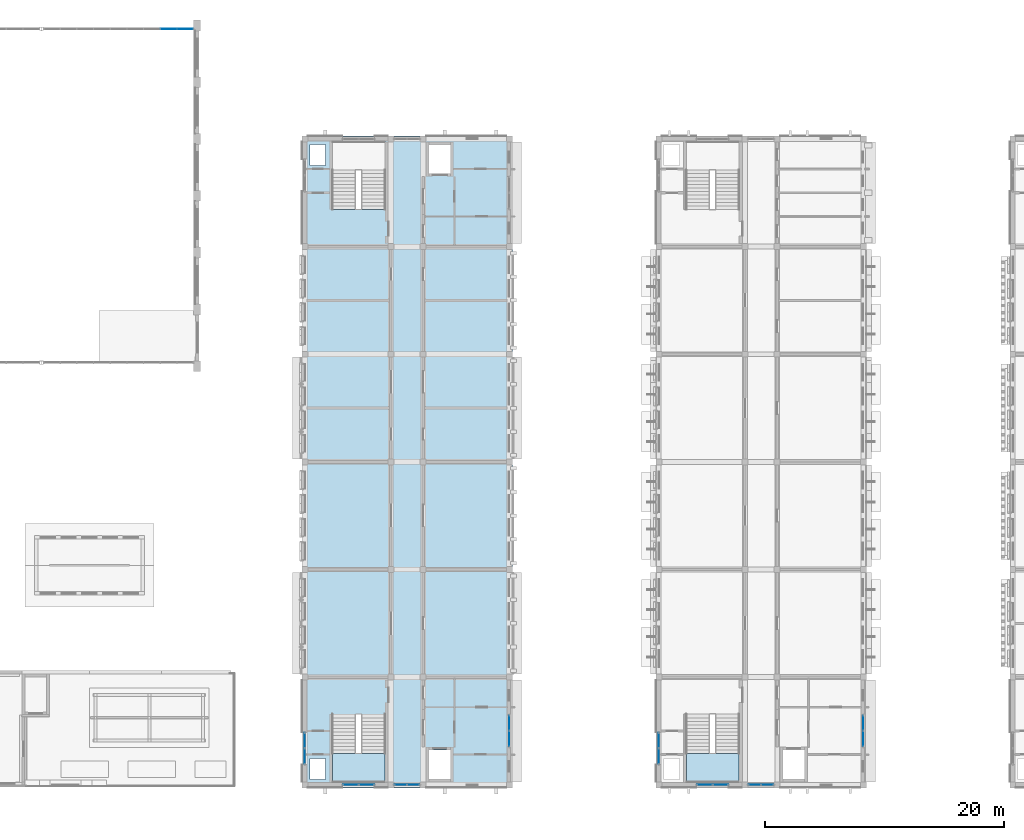
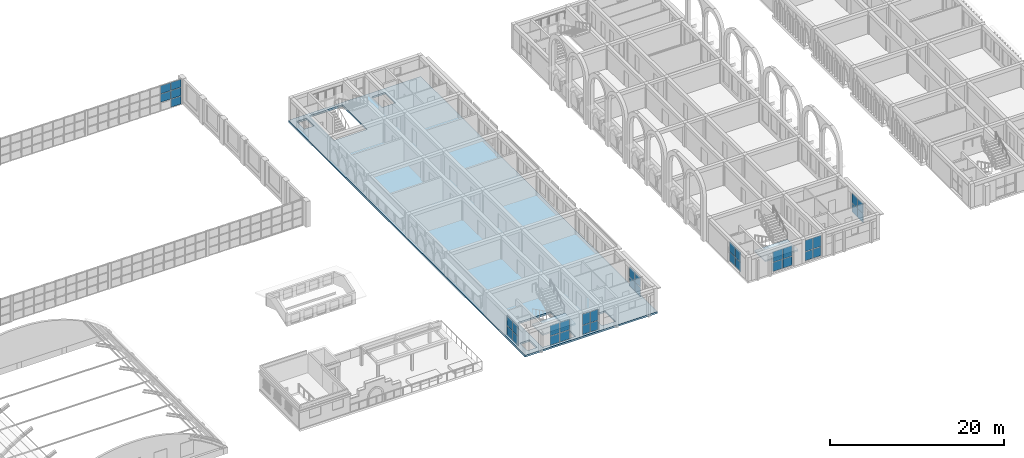
# One storey, part 30 of 70: 37 plates, 3 slabs, 11 elements without a shape of their own.
"""IFC4 building model written with IfcOpenShell, lengths in metres."""

from ifc_helpers import new_model, si_unit, direction, frame, origin, origin_2d, place, context, subcontext, project, spatial, polyline, rectangle, outline, extrude, material, layer, layer_set, type_object, element, aggregate, save


model = new_model("IFC4")

# Units and contexts
model_context = context("Model", 3, precision=1e-05, world=origin(), true_north=direction((0.0, 1.0)))
body_context = subcontext(model_context, "Body", "Model", "MODEL_VIEW")
ifc_project = project(units=[si_unit("LENGTHUNIT", "METRE"), si_unit("AREAUNIT", "SQUARE_METRE"), si_unit("VOLUMEUNIT", "CUBIC_METRE"), si_unit("PLANEANGLEUNIT", "RADIAN"), si_unit("MASSUNIT", "GRAM", prefix="KILO")], contexts=[model_context])

# Site, building, storey
site_placement = place(None, origin())
site = spatial("IfcSite", under=ifc_project, at=site_placement, CompositionType="ELEMENT")
building_placement = place(site_placement, origin())
building = spatial("IfcBuilding", under=site, at=building_placement, Name="Elbe Cascade School", CompositionType="ELEMENT")
storey_placement = place(building_placement, frame((0.0, 0.0, 8.10009765625)))
storey = spatial("IfcBuildingStorey", under=building, at=storey_placement, Name="L02", CompositionType="ELEMENT", Elevation=8.10009765625)

# Stair, slab
ifc_material_1 = material(Name="Concrete C30/37", Category="concrete")
stair_type = type_object("IfcStairType", Name="Bar stair RC 150", PredefinedType="HALF_TURN_STAIR", material=ifc_material_1)
stair_1_placement = place(storey_placement, origin())
stair_1 = element("IfcStair", 1, at=stair_1_placement, inside=storey, type_object=stair_type, Name="Stair A2.S", PredefinedType="HALF_TURN_STAIR")
ifc_material_2 = material(Name="Concrete C30/37", Category="concrete")
ifc_layer_1 = layer(ifc_material_2, 0.199951171875)
ifc_layer_set_1 = layer_set([ifc_layer_1], Name="Concrete C30/37")
slab_type_1 = type_object("IfcSlabType", Name="Bar stair landing RC 200", PredefinedType="LANDING", material=ifc_layer_set_1)
slab_1_placement = place(storey_placement, frame((0.0, 0.0, 1.599853515625)))
slab_1 = element("IfcSlab", 2, at=slab_1_placement, type_object=slab_type_1, Name="ST3 landing 1", PredefinedType="LANDING", context=body_context, shape_type="SweptSolid", body=[
    extrude(outline(polyline([(71.300048828125, 6.179931640625), (75.699951171875, 6.179931640625), (75.699951171875, 8.60009765625), (71.300048828125, 8.60009765625), (71.300048828125, 6.179931640625)])), origin(), (0.0, 0.0, 1.0), 0.199951171875),
])
aggregate(stair_1, [slab_1])

stair_2_placement = place(storey_placement, origin())
stair_2 = element("IfcStair", 3, at=stair_2_placement, inside=storey, type_object=stair_type, Name="Stair B2.S", PredefinedType="HALF_TURN_STAIR")
slab_2_placement = place(storey_placement, frame((0.0, 0.0, 1.599853515625)))
slab_2 = element("IfcSlab", 4, at=slab_2_placement, type_object=slab_type_1, Name="ST3 landing 1", PredefinedType="LANDING", context=body_context, shape_type="SweptSolid", body=[
    extrude(outline(polyline([(100.89990234375, 6.179931640625), (105.300048828125, 6.179931640625), (105.300048828125, 8.60009765625), (100.89990234375, 8.60009765625), (100.89990234375, 6.179931640625)])), origin(), (0.0, 0.0, 1.0), 0.199951171875),
])
aggregate(stair_2, [slab_2])

# Curtain wall, plates
ifc_material_3 = material(Name="Aluminium frame with double glazing, bronze anodised", Category="aluminium")
ifc_layer_2 = layer(ifc_material_3, 0.159912109375)
ifc_layer_set_2 = layer_set([ifc_layer_2], Name="Aluminium frame with double glazing, bronze anodised")
curtain_wall_type_1 = type_object("IfcCurtainWallType", Name="Bars envelope Curtain wall, aluminium, bronze anodised, storey-high slot", PredefinedType="NOTDEFINED", material=ifc_layer_set_2)
curtain_wall_1_placement = place(storey_placement, origin())
curtain_wall_1 = element("IfcCurtainWall", 5, at=curtain_wall_1_placement, inside=storey, type_object=curtain_wall_type_1, Name="Curtain wall CW4 A.L02.w1", PredefinedType="NOTDEFINED")
ifc_material_4 = material(Name="Glass - double glazed low-E", Category="glass")
ifc_layer_3 = layer(ifc_material_4, 0.028076171875)
ifc_layer_set_3 = layer_set([ifc_layer_3], Name="Glass - double glazed low-E")
plate_type_1 = type_object("IfcPlateType", Name="Bars envelope Curtain wall glazing panel 28 mm, double glazed, storey-high slot", PredefinedType="CURTAIN_PANEL", material=ifc_layer_set_3)
plate_1_placement = place(storey_placement, frame((69.0, 8.3798828125, 0.06005859375), z_axis=(0.0, 0.0, 1.0), x_axis=(0.0, 1.0, 0.0)))
plate_1 = element("IfcPlate", 6, at=plate_1_placement, type_object=plate_type_1, Name="CW4 panel 1.1", PredefinedType="CURTAIN_PANEL", context=body_context, shape_type="SweptSolid", body=[
    extrude(rectangle(XDim=1.260009765625, YDim=0.028076171875, at=origin_2d()), origin(), (0.0, 0.0, 1.0), 1.260009765625),
])
plate_2_placement = place(storey_placement, frame((69.0, 8.3798828125, 1.3798828125), z_axis=(0.0, 0.0, 1.0), x_axis=(0.0, 1.0, 0.0)))
plate_2 = element("IfcPlate", 7, at=plate_2_placement, type_object=plate_type_1, Name="CW4 panel 1.2", PredefinedType="CURTAIN_PANEL", context=body_context, shape_type="SweptSolid", body=[
    extrude(rectangle(XDim=1.260009765625, YDim=0.028076171875, at=origin_2d()), origin(), (0.0, 0.0, 1.0), 1.409912109375),
])
plate_3_placement = place(storey_placement, frame((69.0, 9.699951171875, 0.06005859375), z_axis=(0.0, 0.0, 1.0), x_axis=(0.0, 1.0, 0.0)))
plate_3 = element("IfcPlate", 8, at=plate_3_placement, type_object=plate_type_1, Name="CW4 panel 2.1", PredefinedType="CURTAIN_PANEL", context=body_context, shape_type="SweptSolid", body=[
    extrude(rectangle(XDim=1.260009765625, YDim=0.028076171875, at=origin_2d()), origin(), (0.0, 0.0, 1.0), 1.260009765625),
])
plate_4_placement = place(storey_placement, frame((69.0, 9.699951171875, 1.3798828125), z_axis=(0.0, 0.0, 1.0), x_axis=(0.0, 1.0, 0.0)))
plate_4 = element("IfcPlate", 9, at=plate_4_placement, type_object=plate_type_1, Name="CW4 panel 2.2", PredefinedType="CURTAIN_PANEL", context=body_context, shape_type="SweptSolid", body=[
    extrude(rectangle(XDim=1.260009765625, YDim=0.028076171875, at=origin_2d()), origin(), (0.0, 0.0, 1.0), 1.409912109375),
])
aggregate(curtain_wall_1, [plate_1, plate_2, plate_3, plate_4])

curtain_wall_2_placement = place(storey_placement, origin())
curtain_wall_2 = element("IfcCurtainWall", 10, at=curtain_wall_2_placement, inside=storey, type_object=curtain_wall_type_1, Name="Curtain wall CW4 A.L02.e1", PredefinedType="NOTDEFINED")
plate_5_placement = place(storey_placement, frame((86.10009765625, 11.159912109375, 0.06005859375), z_axis=(0.0, 0.0, 1.0), x_axis=(0.0, -1.0, 0.0)))
plate_5 = element("IfcPlate", 11, at=plate_5_placement, type_object=plate_type_1, Name="CW4 panel 1.1", PredefinedType="CURTAIN_PANEL", context=body_context, shape_type="SweptSolid", body=[
    extrude(rectangle(XDim=1.260009765625, YDim=0.028076171875, at=origin_2d()), origin(), (0.0, 0.0, 1.0), 1.260009765625),
])
plate_6_placement = place(storey_placement, frame((86.10009765625, 11.159912109375, 1.3798828125), z_axis=(0.0, 0.0, 1.0), x_axis=(0.0, -1.0, 0.0)))
plate_6 = element("IfcPlate", 12, at=plate_6_placement, type_object=plate_type_1, Name="CW4 panel 1.2", PredefinedType="CURTAIN_PANEL", context=body_context, shape_type="SweptSolid", body=[
    extrude(rectangle(XDim=1.260009765625, YDim=0.028076171875, at=origin_2d()), origin(), (0.0, 0.0, 1.0), 1.409912109375),
])
plate_7_placement = place(storey_placement, frame((86.10009765625, 9.840087890625, 0.06005859375), z_axis=(0.0, 0.0, 1.0), x_axis=(0.0, -1.0, 0.0)))
plate_7 = element("IfcPlate", 13, at=plate_7_placement, type_object=plate_type_1, Name="CW4 panel 2.1", PredefinedType="CURTAIN_PANEL", context=body_context, shape_type="SweptSolid", body=[
    extrude(rectangle(XDim=1.260009765625, YDim=0.028076171875, at=origin_2d()), origin(), (0.0, 0.0, 1.0), 1.260009765625),
])
plate_8_placement = place(storey_placement, frame((86.10009765625, 9.840087890625, 1.3798828125), z_axis=(0.0, 0.0, 1.0), x_axis=(0.0, -1.0, 0.0)))
plate_8 = element("IfcPlate", 14, at=plate_8_placement, type_object=plate_type_1, Name="CW4 panel 2.2", PredefinedType="CURTAIN_PANEL", context=body_context, shape_type="SweptSolid", body=[
    extrude(rectangle(XDim=1.260009765625, YDim=0.028076171875, at=origin_2d()), origin(), (0.0, 0.0, 1.0), 1.409912109375),
])
aggregate(curtain_wall_2, [plate_5, plate_6, plate_7, plate_8])

curtain_wall_3_placement = place(storey_placement, origin())
curtain_wall_3 = element("IfcCurtainWall", 15, at=curtain_wall_3_placement, inside=storey, type_object=curtain_wall_type_1, Name="Curtain wall CW4 A.L02.s1", PredefinedType="NOTDEFINED")
plate_9_placement = place(storey_placement, frame((74.159912109375, 6.0, 0.06005859375), z_axis=(0.0, 0.0, 1.0), x_axis=(-1.0, 0.0, 0.0)))
plate_9 = element("IfcPlate", 16, at=plate_9_placement, type_object=plate_type_1, Name="CW4 panel 1.1", PredefinedType="CURTAIN_PANEL", context=body_context, shape_type="SweptSolid", body=[
    extrude(rectangle(XDim=1.260009765625, YDim=0.028076171875, at=origin_2d()), origin(), (0.0, 0.0, 1.0), 1.260009765625),
])
plate_10_placement = place(storey_placement, frame((74.159912109375, 6.0, 1.3798828125), z_axis=(0.0, 0.0, 1.0), x_axis=(-1.0, 0.0, 0.0)))
plate_10 = element("IfcPlate", 17, at=plate_10_placement, type_object=plate_type_1, Name="CW4 panel 1.2", PredefinedType="CURTAIN_PANEL", context=body_context, shape_type="SweptSolid", body=[
    extrude(rectangle(XDim=1.260009765625, YDim=0.028076171875, at=origin_2d()), origin(), (0.0, 0.0, 1.0), 1.4599609375),
])
plate_11_placement = place(storey_placement, frame((72.840087890625, 6.0, 0.06005859375), z_axis=(0.0, 0.0, 1.0), x_axis=(-1.0, 0.0, 0.0)))
plate_11 = element("IfcPlate", 18, at=plate_11_placement, type_object=plate_type_1, Name="CW4 panel 2.1", PredefinedType="CURTAIN_PANEL", context=body_context, shape_type="SweptSolid", body=[
    extrude(rectangle(XDim=1.260009765625, YDim=0.028076171875, at=origin_2d()), origin(), (0.0, 0.0, 1.0), 1.260009765625),
])
plate_12_placement = place(storey_placement, frame((72.840087890625, 6.0, 1.3798828125), z_axis=(0.0, 0.0, 1.0), x_axis=(-1.0, 0.0, 0.0)))
plate_12 = element("IfcPlate", 19, at=plate_12_placement, type_object=plate_type_1, Name="CW4 panel 2.2", PredefinedType="CURTAIN_PANEL", context=body_context, shape_type="SweptSolid", body=[
    extrude(rectangle(XDim=1.260009765625, YDim=0.028076171875, at=origin_2d()), origin(), (0.0, 0.0, 1.0), 1.4599609375),
])
aggregate(curtain_wall_3, [plate_9, plate_10, plate_11, plate_12])

curtain_wall_4_placement = place(storey_placement, origin())
curtain_wall_4 = element("IfcCurtainWall", 20, at=curtain_wall_4_placement, inside=storey, type_object=curtain_wall_type_1, Name="Curtain wall CW4 A.L02.s2", PredefinedType="NOTDEFINED")
plate_13_placement = place(storey_placement, frame((78.0849609375, 6.0, 0.06005859375), z_axis=(0.0, 0.0, 1.0), x_axis=(-1.0, 0.0, 0.0)))
plate_13 = element("IfcPlate", 21, at=plate_13_placement, type_object=plate_type_1, Name="CW4 panel 1.1", PredefinedType="CURTAIN_PANEL", context=body_context, shape_type="SweptSolid", body=[
    extrude(rectangle(XDim=1.010009765625, YDim=0.028076171875, at=origin_2d()), origin(), (0.0, 0.0, 1.0), 1.260009765625),
])
plate_14_placement = place(storey_placement, frame((78.0849609375, 6.0, 1.3798828125), z_axis=(0.0, 0.0, 1.0), x_axis=(-1.0, 0.0, 0.0)))
plate_14 = element("IfcPlate", 22, at=plate_14_placement, type_object=plate_type_1, Name="CW4 panel 1.2", PredefinedType="CURTAIN_PANEL", context=body_context, shape_type="SweptSolid", body=[
    extrude(rectangle(XDim=1.010009765625, YDim=0.028076171875, at=origin_2d()), origin(), (0.0, 0.0, 1.0), 1.56005859375),
])
plate_15_placement = place(storey_placement, frame((77.014892578125, 6.0, 0.06005859375), z_axis=(0.0, 0.0, 1.0), x_axis=(-1.0, 0.0, 0.0)))
plate_15 = element("IfcPlate", 23, at=plate_15_placement, type_object=plate_type_1, Name="CW4 panel 2.1", PredefinedType="CURTAIN_PANEL", context=body_context, shape_type="SweptSolid", body=[
    extrude(rectangle(XDim=1.010009765625, YDim=0.028076171875, at=origin_2d()), origin(), (0.0, 0.0, 1.0), 1.260009765625),
])
plate_16_placement = place(storey_placement, frame((77.014892578125, 6.0, 1.3798828125), z_axis=(0.0, 0.0, 1.0), x_axis=(-1.0, 0.0, 0.0)))
plate_16 = element("IfcPlate", 24, at=plate_16_placement, type_object=plate_type_1, Name="CW4 panel 2.2", PredefinedType="CURTAIN_PANEL", context=body_context, shape_type="SweptSolid", body=[
    extrude(rectangle(XDim=1.010009765625, YDim=0.028076171875, at=origin_2d()), origin(), (0.0, 0.0, 1.0), 1.56005859375),
])
aggregate(curtain_wall_4, [plate_13, plate_14, plate_15, plate_16])

curtain_wall_5_placement = place(storey_placement, origin())
curtain_wall_5 = element("IfcCurtainWall", 25, at=curtain_wall_5_placement, inside=storey, type_object=curtain_wall_type_1, Name="Curtain wall CW4 B.L02.w1", PredefinedType="NOTDEFINED")
plate_17_placement = place(storey_placement, frame((98.60009765625, 8.3798828125, 0.06005859375), z_axis=(0.0, 0.0, 1.0), x_axis=(0.0, 1.0, 0.0)))
plate_17 = element("IfcPlate", 26, at=plate_17_placement, type_object=plate_type_1, Name="CW4 panel 1.1", PredefinedType="CURTAIN_PANEL", context=body_context, shape_type="SweptSolid", body=[
    extrude(rectangle(XDim=1.260009765625, YDim=0.028076171875, at=origin_2d()), origin(), (0.0, 0.0, 1.0), 1.260009765625),
])
plate_18_placement = place(storey_placement, frame((98.60009765625, 8.3798828125, 1.3798828125), z_axis=(0.0, 0.0, 1.0), x_axis=(0.0, 1.0, 0.0)))
plate_18 = element("IfcPlate", 27, at=plate_18_placement, type_object=plate_type_1, Name="CW4 panel 1.2", PredefinedType="CURTAIN_PANEL", context=body_context, shape_type="SweptSolid", body=[
    extrude(rectangle(XDim=1.260009765625, YDim=0.028076171875, at=origin_2d()), origin(), (0.0, 0.0, 1.0), 1.409912109375),
])
plate_19_placement = place(storey_placement, frame((98.60009765625, 9.699951171875, 0.06005859375), z_axis=(0.0, 0.0, 1.0), x_axis=(0.0, 1.0, 0.0)))
plate_19 = element("IfcPlate", 28, at=plate_19_placement, type_object=plate_type_1, Name="CW4 panel 2.1", PredefinedType="CURTAIN_PANEL", context=body_context, shape_type="SweptSolid", body=[
    extrude(rectangle(XDim=1.260009765625, YDim=0.028076171875, at=origin_2d()), origin(), (0.0, 0.0, 1.0), 1.260009765625),
])
plate_20_placement = place(storey_placement, frame((98.60009765625, 9.699951171875, 1.3798828125), z_axis=(0.0, 0.0, 1.0), x_axis=(0.0, 1.0, 0.0)))
plate_20 = element("IfcPlate", 29, at=plate_20_placement, type_object=plate_type_1, Name="CW4 panel 2.2", PredefinedType="CURTAIN_PANEL", context=body_context, shape_type="SweptSolid", body=[
    extrude(rectangle(XDim=1.260009765625, YDim=0.028076171875, at=origin_2d()), origin(), (0.0, 0.0, 1.0), 1.409912109375),
])
aggregate(curtain_wall_5, [plate_17, plate_18, plate_19, plate_20])

curtain_wall_6_placement = place(storey_placement, origin())
curtain_wall_6 = element("IfcCurtainWall", 30, at=curtain_wall_6_placement, inside=storey, type_object=curtain_wall_type_1, Name="Curtain wall CW4 B.L02.e1", PredefinedType="NOTDEFINED")
plate_21_placement = place(storey_placement, frame((115.699951171875, 11.159912109375, 0.06005859375), z_axis=(0.0, 0.0, 1.0), x_axis=(0.0, -1.0, 0.0)))
plate_21 = element("IfcPlate", 31, at=plate_21_placement, type_object=plate_type_1, Name="CW4 panel 1.1", PredefinedType="CURTAIN_PANEL", context=body_context, shape_type="SweptSolid", body=[
    extrude(rectangle(XDim=1.260009765625, YDim=0.028076171875, at=origin_2d()), origin(), (0.0, 0.0, 1.0), 1.260009765625),
])
plate_22_placement = place(storey_placement, frame((115.699951171875, 11.159912109375, 1.3798828125), z_axis=(0.0, 0.0, 1.0), x_axis=(0.0, -1.0, 0.0)))
plate_22 = element("IfcPlate", 32, at=plate_22_placement, type_object=plate_type_1, Name="CW4 panel 1.2", PredefinedType="CURTAIN_PANEL", context=body_context, shape_type="SweptSolid", body=[
    extrude(rectangle(XDim=1.260009765625, YDim=0.028076171875, at=origin_2d()), origin(), (0.0, 0.0, 1.0), 1.409912109375),
])
plate_23_placement = place(storey_placement, frame((115.699951171875, 9.840087890625, 0.06005859375), z_axis=(0.0, 0.0, 1.0), x_axis=(0.0, -1.0, 0.0)))
plate_23 = element("IfcPlate", 33, at=plate_23_placement, type_object=plate_type_1, Name="CW4 panel 2.1", PredefinedType="CURTAIN_PANEL", context=body_context, shape_type="SweptSolid", body=[
    extrude(rectangle(XDim=1.260009765625, YDim=0.028076171875, at=origin_2d()), origin(), (0.0, 0.0, 1.0), 1.260009765625),
])
plate_24_placement = place(storey_placement, frame((115.699951171875, 9.840087890625, 1.3798828125), z_axis=(0.0, 0.0, 1.0), x_axis=(0.0, -1.0, 0.0)))
plate_24 = element("IfcPlate", 34, at=plate_24_placement, type_object=plate_type_1, Name="CW4 panel 2.2", PredefinedType="CURTAIN_PANEL", context=body_context, shape_type="SweptSolid", body=[
    extrude(rectangle(XDim=1.260009765625, YDim=0.028076171875, at=origin_2d()), origin(), (0.0, 0.0, 1.0), 1.409912109375),
])
aggregate(curtain_wall_6, [plate_21, plate_22, plate_23, plate_24])

curtain_wall_7_placement = place(storey_placement, origin())
curtain_wall_7 = element("IfcCurtainWall", 35, at=curtain_wall_7_placement, inside=storey, type_object=curtain_wall_type_1, Name="Curtain wall CW4 B.L02.s1", PredefinedType="NOTDEFINED")
plate_25_placement = place(storey_placement, frame((103.760009765625, 6.0, 0.06005859375), z_axis=(0.0, 0.0, 1.0), x_axis=(-1.0, 0.0, 0.0)))
plate_25 = element("IfcPlate", 36, at=plate_25_placement, type_object=plate_type_1, Name="CW4 panel 1.1", PredefinedType="CURTAIN_PANEL", context=body_context, shape_type="SweptSolid", body=[
    extrude(rectangle(XDim=1.260009765625, YDim=0.028076171875, at=origin_2d()), origin(), (0.0, 0.0, 1.0), 1.260009765625),
])
plate_26_placement = place(storey_placement, frame((103.760009765625, 6.0, 1.3798828125), z_axis=(0.0, 0.0, 1.0), x_axis=(-1.0, 0.0, 0.0)))
plate_26 = element("IfcPlate", 37, at=plate_26_placement, type_object=plate_type_1, Name="CW4 panel 1.2", PredefinedType="CURTAIN_PANEL", context=body_context, shape_type="SweptSolid", body=[
    extrude(rectangle(XDim=1.260009765625, YDim=0.028076171875, at=origin_2d()), origin(), (0.0, 0.0, 1.0), 1.4599609375),
])
plate_27_placement = place(storey_placement, frame((102.43994140625, 6.0, 0.06005859375), z_axis=(0.0, 0.0, 1.0), x_axis=(-1.0, 0.0, 0.0)))
plate_27 = element("IfcPlate", 38, at=plate_27_placement, type_object=plate_type_1, Name="CW4 panel 2.1", PredefinedType="CURTAIN_PANEL", context=body_context, shape_type="SweptSolid", body=[
    extrude(rectangle(XDim=1.260009765625, YDim=0.028076171875, at=origin_2d()), origin(), (0.0, 0.0, 1.0), 1.260009765625),
])
plate_28_placement = place(storey_placement, frame((102.43994140625, 6.0, 1.3798828125), z_axis=(0.0, 0.0, 1.0), x_axis=(-1.0, 0.0, 0.0)))
plate_28 = element("IfcPlate", 39, at=plate_28_placement, type_object=plate_type_1, Name="CW4 panel 2.2", PredefinedType="CURTAIN_PANEL", context=body_context, shape_type="SweptSolid", body=[
    extrude(rectangle(XDim=1.260009765625, YDim=0.028076171875, at=origin_2d()), origin(), (0.0, 0.0, 1.0), 1.4599609375),
])
aggregate(curtain_wall_7, [plate_25, plate_26, plate_27, plate_28])

curtain_wall_8_placement = place(storey_placement, origin())
curtain_wall_8 = element("IfcCurtainWall", 40, at=curtain_wall_8_placement, inside=storey, type_object=curtain_wall_type_1, Name="Curtain wall CW4 B.L02.s2", PredefinedType="NOTDEFINED")
plate_29_placement = place(storey_placement, frame((107.68505859375, 6.0, 0.06005859375), z_axis=(0.0, 0.0, 1.0), x_axis=(-1.0, 0.0, 0.0)))
plate_29 = element("IfcPlate", 41, at=plate_29_placement, type_object=plate_type_1, Name="CW4 panel 1.1", PredefinedType="CURTAIN_PANEL", context=body_context, shape_type="SweptSolid", body=[
    extrude(rectangle(XDim=1.010009765625, YDim=0.028076171875, at=origin_2d()), origin(), (0.0, 0.0, 1.0), 1.260009765625),
])
plate_30_placement = place(storey_placement, frame((107.68505859375, 6.0, 1.3798828125), z_axis=(0.0, 0.0, 1.0), x_axis=(-1.0, 0.0, 0.0)))
plate_30 = element("IfcPlate", 42, at=plate_30_placement, type_object=plate_type_1, Name="CW4 panel 1.2", PredefinedType="CURTAIN_PANEL", context=body_context, shape_type="SweptSolid", body=[
    extrude(rectangle(XDim=1.010009765625, YDim=0.028076171875, at=origin_2d()), origin(), (0.0, 0.0, 1.0), 1.56005859375),
])
plate_31_placement = place(storey_placement, frame((106.614990234375, 6.0, 0.06005859375), z_axis=(0.0, 0.0, 1.0), x_axis=(-1.0, 0.0, 0.0)))
plate_31 = element("IfcPlate", 43, at=plate_31_placement, type_object=plate_type_1, Name="CW4 panel 2.1", PredefinedType="CURTAIN_PANEL", context=body_context, shape_type="SweptSolid", body=[
    extrude(rectangle(XDim=1.010009765625, YDim=0.028076171875, at=origin_2d()), origin(), (0.0, 0.0, 1.0), 1.260009765625),
])
plate_32_placement = place(storey_placement, frame((106.614990234375, 6.0, 1.3798828125), z_axis=(0.0, 0.0, 1.0), x_axis=(-1.0, 0.0, 0.0)))
plate_32 = element("IfcPlate", 44, at=plate_32_placement, type_object=plate_type_1, Name="CW4 panel 2.2", PredefinedType="CURTAIN_PANEL", context=body_context, shape_type="SweptSolid", body=[
    extrude(rectangle(XDim=1.010009765625, YDim=0.028076171875, at=origin_2d()), origin(), (0.0, 0.0, 1.0), 1.56005859375),
])
aggregate(curtain_wall_8, [plate_29, plate_30, plate_31, plate_32])

# Slab
ifc_material_5 = material(Name="Concrete C30/37", Category="concrete")
ifc_layer_4 = layer(ifc_material_5, 0.25)
ifc_layer_set_4 = layer_set([ifc_layer_4], Name="Concrete C30/37")
slab_type_2 = type_object("IfcSlabType", Name="Floor slab 250", PredefinedType="FLOOR", material=ifc_layer_set_4)
slab_3_placement = place(storey_placement, frame((0.0, 0.0, -0.25)))
element("IfcSlab", 45, at=slab_3_placement, inside=storey, type_object=slab_type_2, Name="Floor slab 250 S2", PredefinedType="FLOOR", context=body_context, shape_type="SweptSolid", body=[
    extrude(outline(polyline([(68.75, 5.75), (86.35009765625, 5.75), (86.35009765625, 60.25), (68.75, 60.25), (68.75, 5.75)]), holes=[polyline([(71.300048828125, 6.179931640625), (75.699951171875, 6.179931640625), (75.699951171875, 11.8798828125), (71.300048828125, 11.8798828125), (71.300048828125, 6.179931640625)]), polyline([(79.39990234375, 6.5), (81.199951171875, 6.5), (81.199951171875, 8.89990234375), (79.39990234375, 8.89990234375), (79.39990234375, 6.5)]), polyline([(71.300048828125, 54.1201171875), (75.699951171875, 54.1201171875), (75.699951171875, 59.820068359375), (71.300048828125, 59.820068359375), (71.300048828125, 54.1201171875)]), polyline([(79.39990234375, 57.10009765625), (81.199951171875, 57.10009765625), (81.199951171875, 59.5), (79.39990234375, 59.5), (79.39990234375, 57.10009765625)]), polyline([(69.449951171875, 6.449951171875), (70.75, 6.449951171875), (70.75, 8.199951171875), (69.449951171875, 8.199951171875), (69.449951171875, 6.449951171875)]), polyline([(69.449951171875, 57.800048828125), (70.75, 57.800048828125), (70.75, 59.550048828125), (69.449951171875, 59.550048828125), (69.449951171875, 57.800048828125)])]), origin(), (0.0, 0.0, 1.0), 0.25),
])

# Curtain wall, plates
ifc_material_6 = material(Name="Glass - double glazed low-E", Category="glass")
curtain_wall_type_2 = type_object("IfcCurtainWallType", Name="Hall gable curtain wall", PredefinedType="NOTDEFINED", material=ifc_material_6)
curtain_wall_9_placement = place(storey_placement, origin())
curtain_wall_9 = element("IfcCurtainWall", 46, at=curtain_wall_9_placement, inside=storey, type_object=curtain_wall_type_2, Name="Gable curtain wall N4", PredefinedType="NOTDEFINED")
ifc_material_7 = material(Name="Glass - double glazed low-E", Category="glass")
ifc_layer_5 = layer(ifc_material_7, 0.028076171875)
ifc_layer_set_5 = layer_set([ifc_layer_5], Name="Glass - double glazed low-E")
plate_type_2 = type_object("IfcPlateType", Name="Hall gable glass panel", PredefinedType="CURTAIN_PANEL", material=ifc_layer_set_5)
plate_33_placement = place(storey_placement, frame((57.6083984375, 69.199951171875, 1.22998046875), z_axis=(0.0, 0.0, 1.0), x_axis=(1.0, 0.0, 0.0)))
plate_33 = element("IfcPlate", 47, at=plate_33_placement, type_object=plate_type_2, Name="CW6 panel 8.2", PredefinedType="CURTAIN_PANEL", context=body_context, shape_type="SweptSolid", body=[
    extrude(rectangle(XDim=1.33447265625, YDim=0.028076171875, at=origin_2d()), origin(), (0.0, 0.0, 1.0), 1.139892578125),
])
plate_34_placement = place(storey_placement, frame((57.6083984375, 69.199951171875, 2.4296875), z_axis=(0.0, 0.0, 1.0), x_axis=(1.0, 0.0, 0.0)))
plate_34 = element("IfcPlate", 48, at=plate_34_placement, type_object=plate_type_2, Name="CW6 panel 8.3", PredefinedType="CURTAIN_PANEL", context=body_context, shape_type="SweptSolid", body=[
    extrude(rectangle(XDim=1.33447265625, YDim=0.028076171875, at=origin_2d()), origin(), (0.0, 0.0, 1.0), 1.110107421875),
])
plate_35_placement = place(storey_placement, frame((58.98779296875, 69.199951171875, 0.06005859375), z_axis=(0.0, 0.0, 1.0), x_axis=(1.0, 0.0, 0.0)))
plate_35 = element("IfcPlate", 49, at=plate_35_placement, type_object=plate_type_2, Name="CW6 panel 9.1", PredefinedType="CURTAIN_PANEL", context=body_context, shape_type="SweptSolid", body=[
    extrude(rectangle(XDim=1.304443359375, YDim=0.028076171875, at=origin_2d()), origin(), (0.0, 0.0, 1.0), 1.110107421875),
])
plate_36_placement = place(storey_placement, frame((58.98779296875, 69.199951171875, 1.22998046875), z_axis=(0.0, 0.0, 1.0), x_axis=(1.0, 0.0, 0.0)))
plate_36 = element("IfcPlate", 50, at=plate_36_placement, type_object=plate_type_2, Name="CW6 panel 9.2", PredefinedType="CURTAIN_PANEL", context=body_context, shape_type="SweptSolid", body=[
    extrude(rectangle(XDim=1.304443359375, YDim=0.028076171875, at=origin_2d()), origin(), (0.0, 0.0, 1.0), 1.139892578125),
])
plate_37_placement = place(storey_placement, frame((58.98779296875, 69.199951171875, 2.4296875), z_axis=(0.0, 0.0, 1.0), x_axis=(1.0, 0.0, 0.0)))
plate_37 = element("IfcPlate", 51, at=plate_37_placement, type_object=plate_type_2, Name="CW6 panel 9.3", PredefinedType="CURTAIN_PANEL", context=body_context, shape_type="SweptSolid", body=[
    extrude(rectangle(XDim=1.304443359375, YDim=0.028076171875, at=origin_2d()), origin(), (0.0, 0.0, 1.0), 1.110107421875),
])
aggregate(curtain_wall_9, [plate_33, plate_34, plate_35, plate_36, plate_37])

save(model, "model.ifc")
